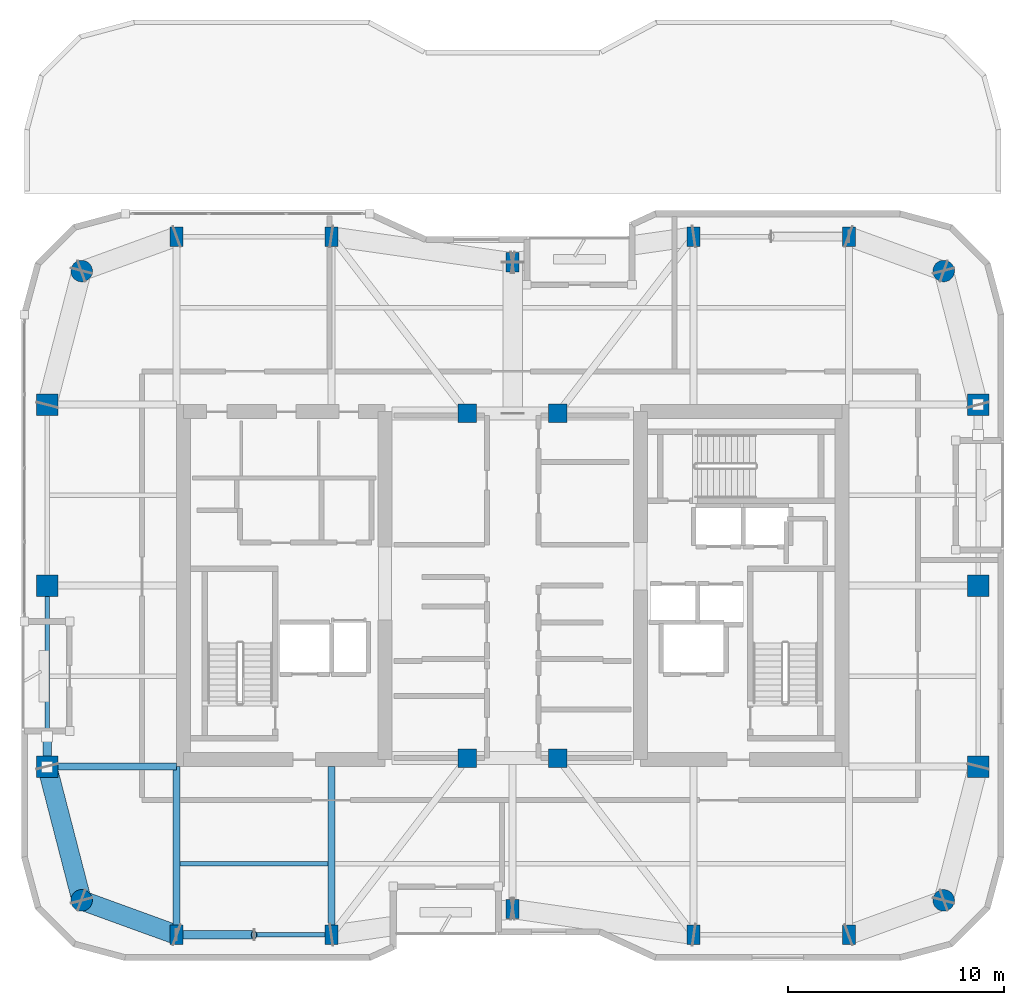
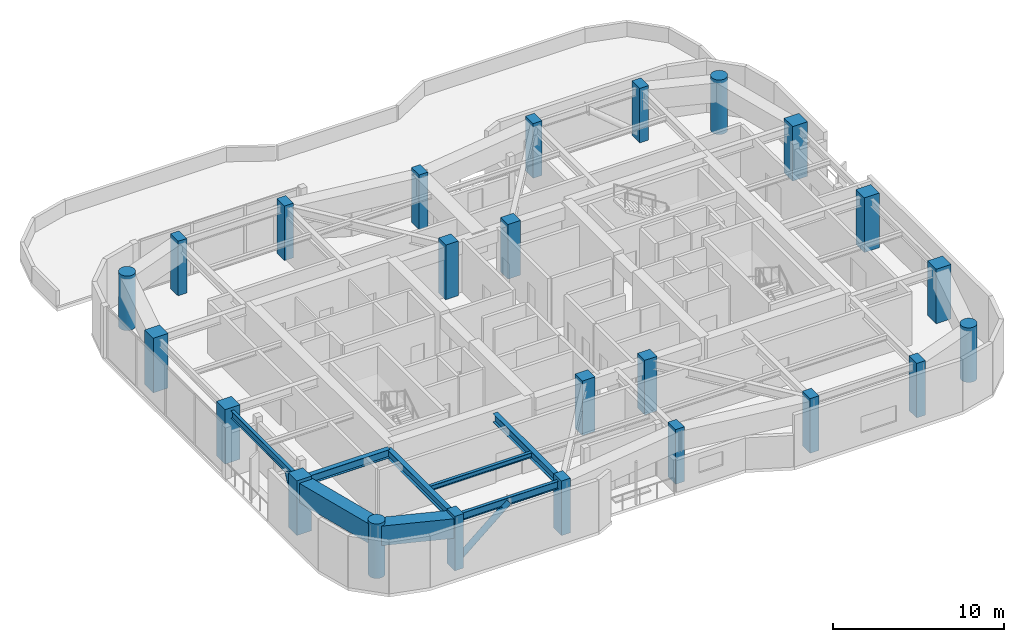
# One storey, part 1 of 16: 24 columns, 8 beams, 2 members.
"""IFC4 building model written with IfcOpenShell, lengths in metres."""

from ifc_helpers import new_model, si_unit, direction, frame, origin, origin_2d, place, context, subcontext, project, spatial, rectangle, hollow_rectangle, circle, hollow_circle, i_section, extrude, material, material_profile, profile_set, type_object, element, save


model = new_model("IFC4")

# Units and contexts
model_context = context("Model", 3, precision=1e-05, world=origin(), true_north=direction((0.0, 1.0)))
body_context = subcontext(model_context, "Body", "Model", "MODEL_VIEW")
ifc_project = project(units=[si_unit("LENGTHUNIT", "METRE"), si_unit("AREAUNIT", "SQUARE_METRE"), si_unit("VOLUMEUNIT", "CUBIC_METRE"), si_unit("PLANEANGLEUNIT", "RADIAN"), si_unit("MASSUNIT", "GRAM", prefix="KILO")], contexts=[model_context])

# Site, building, storey
site_placement = place(None, origin())
site = spatial("IfcSite", under=ifc_project, at=site_placement, CompositionType="ELEMENT")
building_placement = place(site_placement, origin())
building = spatial("IfcBuilding", under=site, at=building_placement, Name="Kiyonajd Concourse Tower", CompositionType="ELEMENT")
storey_placement = place(building_placement, frame((0.0, 0.0, 255.0)))
storey = spatial("IfcBuildingStorey", under=building, at=storey_placement, Name="L64", CompositionType="ELEMENT", Elevation=255.0)

# Columns
ifc_material_1 = material(Name="Concrete C60/75", Category="concrete")
ifc_material_profile_1 = material_profile(ifc_material_1, rectangle(XDim=0.60009765625, YDim=0.89990234375, at=origin_2d()), Name="RC-900x600")
ifc_profile_set_1 = profile_set([ifc_material_profile_1], Name="Concrete C60/75")
column_type_1 = type_object("IfcColumnType", Name="CL-BLADE-900", PredefinedType="COLUMN", material=ifc_profile_set_1)
for number, where, z_axis, x_axis, name in (
    (1, (32.39990234375, 19.800048828125, 0.0), (0.0, 0.0, 1.0), (1.0, 0.0, 0.0), "L64 Perimeter Bundled Tube Column"),
    (2, (32.39990234375, 52.199951171875, 0.0), (0.0, 0.0, 1.0), (1.0, 0.0, 0.0), "L64 Perimeter Bundled Tube Column"),
    (3, (39.60009765625, 19.800048828125, 0.0), (0.0, 0.0, 1.0), (1.0, 0.0, 0.0), "L64 Perimeter Bundled Tube Column"),
    (4, (39.60009765625, 52.199951171875, 0.0), (0.0, 0.0, 1.0), (1.0, 0.0, 0.0), "L64 Perimeter Bundled Tube Column"),
    (5, (48.0, 21.0, 0.0), (0.0, 0.0, 1.0), (1.0, 0.0, 0.0), "L64 Perimeter Bundled Tube Column"),
    (6, (48.0, 51.0, 0.0), (0.0, 0.0, 1.0), (1.0, 0.0, 0.0), "L64 Perimeter Bundled Tube Column"),
    (7, (56.39990234375, 19.800048828125, 0.0), (0.0, 0.0, 1.0), (1.0, 0.0, 0.0), "L64 Perimeter Bundled Tube Column"),
    (8, (56.39990234375, 52.199951171875, 0.0), (0.0, 0.0, 1.0), (1.0, 0.0, 0.0), "L64 Perimeter Bundled Tube Column"),
    (9, (63.60009765625, 19.800048828125, 0.0), (0.0, 0.0, 1.0), (1.0, 0.0, 0.0), "L64 Perimeter Bundled Tube Column"),
    (10, (63.60009765625, 52.199951171875, 0.0), (0.0, 0.0, 1.0), (1.0, 0.0, 0.0), "L64 Perimeter Bundled Tube Column"),
):
    element("IfcColumn", number, at=place(storey_placement, frame(where, z_axis=z_axis, x_axis=x_axis)), inside=storey, type_object=column_type_1, Name=name, PredefinedType="COLUMN", context=body_context, shape_type="SweptSolid", body=[
        extrude(rectangle(XDim=0.60009765625, YDim=0.89990234375, at=origin_2d()), origin(), (0.0, 0.0, 1.0), 3.89990234375),
    ])
ifc_material_profile_2 = material_profile(ifc_material_1, circle(Radius=0.5, at=origin_2d()), Name="RCC-D1000")
ifc_profile_set_2 = profile_set([ifc_material_profile_2], Name="Concrete C60/75")
column_type_2 = type_object("IfcColumnType", Name="CL-RND-1000", PredefinedType="COLUMN", material=ifc_profile_set_2)
for number, where, z_axis, x_axis, name in (
    (11, (28.0, 21.39990234375, 0.0), (0.0, 0.0, 1.0), (1.0, 0.0, 0.0), "L64 Bundled Tube Corner Column South West"),
    (12, (68.0, 21.39990234375, 0.0), (0.0, 0.0, 1.0), (1.0, 0.0, 0.0), "L64 Bundled Tube Corner Column South East"),
    (13, (68.0, 50.60009765625, 0.0), (0.0, 0.0, 1.0), (1.0, 0.0, 0.0), "L64 Bundled Tube Corner Column North East"),
    (14, (28.0, 50.60009765625, 0.0), (0.0, 0.0, 1.0), (1.0, 0.0, 0.0), "L64 Bundled Tube Corner Column North West"),
):
    element("IfcColumn", number, at=place(storey_placement, frame(where, z_axis=z_axis, x_axis=x_axis)), inside=storey, type_object=column_type_2, Name=name, PredefinedType="COLUMN", context=body_context, shape_type="SweptSolid", body=[
        extrude(circle(Radius=0.5, at=origin_2d()), origin(), (0.0, 0.0, 1.0), 3.89990234375),
    ])
ifc_material_profile_3 = material_profile(ifc_material_1, rectangle(XDim=1.0, YDim=1.0, at=origin_2d()), Name="RC-1000x1000")
ifc_profile_set_3 = profile_set([ifc_material_profile_3], Name="Concrete C60/75")
column_type_3 = type_object("IfcColumnType", Name="CL-TUBE-1000", PredefinedType="COLUMN", material=ifc_profile_set_3)
for number, where, z_axis, x_axis, name in (
    (15, (26.39990234375, 27.60009765625, 0.0), (0.0, 0.0, 1.0), (1.0, 0.0, 0.0), "L64 Perimeter Bundled Tube Column"),
    (16, (69.60009765625, 27.60009765625, 0.0), (0.0, 0.0, 1.0), (1.0, 0.0, 0.0), "L64 Perimeter Bundled Tube Column"),
    (17, (26.39990234375, 36.0, 0.0), (0.0, 0.0, 1.0), (1.0, 0.0, 0.0), "L64 Perimeter Bundled Tube Column"),
    (18, (69.60009765625, 36.0, 0.0), (0.0, 0.0, 1.0), (1.0, 0.0, 0.0), "L64 Perimeter Bundled Tube Column"),
    (19, (26.39990234375, 44.39990234375, 0.0), (0.0, 0.0, 1.0), (1.0, 0.0, 0.0), "L64 Perimeter Bundled Tube Column"),
    (20, (69.60009765625, 44.39990234375, 0.0), (0.0, 0.0, 1.0), (1.0, 0.0, 0.0), "L64 Perimeter Bundled Tube Column"),
):
    element("IfcColumn", number, at=place(storey_placement, frame(where, z_axis=z_axis, x_axis=x_axis)), inside=storey, type_object=column_type_3, Name=name, PredefinedType="COLUMN", context=body_context, shape_type="SweptSolid", body=[
        extrude(rectangle(XDim=1.0, YDim=1.0, at=origin_2d()), origin(), (0.0, 0.0, 1.0), 3.89990234375),
    ])
ifc_material_profile_4 = material_profile(ifc_material_1, rectangle(XDim=0.85009765625, YDim=0.85009765625, at=origin_2d()), Name="RC-850x850")
ifc_profile_set_4 = profile_set([ifc_material_profile_4], Name="Concrete C60/75")
column_type_4 = type_object("IfcColumnType", Name="CL-TUBE-850", PredefinedType="COLUMN", material=ifc_profile_set_4)
for number, where, z_axis, x_axis, name in (
    (21, (45.89990234375, 28.0, 0.0), (0.0, 0.0, 1.0), (1.0, 0.0, 0.0), "L64 Core Tie Column South West"),
    (22, (50.10009765625, 28.0, 0.0), (0.0, 0.0, 1.0), (1.0, 0.0, 0.0), "L64 Core Tie Column South East"),
    (23, (45.89990234375, 44.0, 0.0), (0.0, 0.0, 1.0), (1.0, 0.0, 0.0), "L64 Core Tie Column North West"),
    (24, (50.10009765625, 44.0, 0.0), (0.0, 0.0, 1.0), (1.0, 0.0, 0.0), "L64 Core Tie Column North East"),
):
    element("IfcColumn", number, at=place(storey_placement, frame(where, z_axis=z_axis, x_axis=x_axis)), inside=storey, type_object=column_type_4, Name=name, PredefinedType="COLUMN", context=body_context, shape_type="SweptSolid", body=[
        extrude(rectangle(XDim=0.85009765625, YDim=0.85009765625, at=origin_2d()), origin(), (0.0, 0.0, 1.0), 3.89990234375),
    ])

# Beams
ifc_material_2 = material(Name="Steel ASTM A992 Grade 50", Category="steel")
ifc_material_profile_5 = material_profile(ifc_material_2, i_section(OverallWidth=0.205078125, OverallDepth=0.35400390625, WebThickness=0.009521484375, FlangeThickness=0.016845703125, at=origin_2d()), Name="W360X79")
ifc_profile_set_5 = profile_set([ifc_material_profile_5], Name="Steel ASTM A992 Grade 50")
beam_type_1 = type_object("IfcBeamType", Name="BM-JST-360", PredefinedType="JOIST", material=ifc_profile_set_5)
beam_1_placement = place(storey_placement, frame((32.56201171875, 23.10009765625, 3.5029296875), z_axis=(1.0, 0.0, 0.0), x_axis=(0.0, 1.0, 0.0)))
element("IfcBeam", 25, at=beam_1_placement, inside=storey, type_object=beam_type_1, Name="L64 Secondary Floor Joist", PredefinedType="JOIST", context=body_context, shape_type="SweptSolid", body=[
    extrude(i_section(OverallWidth=0.205078125, OverallDepth=0.35400390625, WebThickness=0.009521484375, FlangeThickness=0.016845703125, at=origin_2d()), origin(), (0.0, 0.0, 1.0), 6.8759765625),
])
ifc_material_profile_6 = material_profile(ifc_material_2, i_section(OverallWidth=0.2109375, OverallDepth=0.5390625, WebThickness=0.01171875, FlangeThickness=0.018798828125, at=origin_2d()), Name="W530X109")
ifc_profile_set_6 = profile_set([ifc_material_profile_6], Name="Steel ASTM A992 Grade 50")
beam_type_2 = type_object("IfcBeamType", Name="BM-SPAN-530B", PredefinedType="SPANDREL", material=ifc_profile_set_6)
beam_2_placement = place(storey_placement, frame((32.39990234375, 19.800048828125, 3.410400390625), z_axis=(1.0, 0.0, 0.0), x_axis=(0.0, 1.0, 0.0)))
element("IfcBeam", 26, at=beam_2_placement, inside=storey, type_object=beam_type_2, Name="L64 Perimeter Bundled Tube Spandrel", PredefinedType="SPANDREL", context=body_context, shape_type="SweptSolid", body=[
    extrude(i_section(OverallWidth=0.2109375, OverallDepth=0.5390625, WebThickness=0.01171875, FlangeThickness=0.018798828125, at=origin_2d()), origin(), (0.0, 0.0, 1.0), 7.2001953125),
])
beam_3_placement = place(storey_placement, frame((26.39990234375, 36.0, 3.410400390625), z_axis=(0.0, -1.0, 0.0), x_axis=(1.0, 0.0, 0.0)))
element("IfcBeam", 27, at=beam_3_placement, inside=storey, type_object=beam_type_2, Name="L64 Perimeter Bundled Tube Spandrel", PredefinedType="SPANDREL", context=body_context, shape_type="SweptSolid", body=[
    extrude(i_section(OverallWidth=0.2109375, OverallDepth=0.5390625, WebThickness=0.01171875, FlangeThickness=0.018798828125, at=origin_2d()), origin(), (0.0, 0.0, 1.0), 8.39990234375),
])
ifc_material_profile_7 = material_profile(ifc_material_2, i_section(OverallWidth=0.323974609375, OverallDepth=0.611083984375, WebThickness=0.0126953125, FlangeThickness=0.01904296875, at=origin_2d()), Name="W610X155")
ifc_profile_set_7 = profile_set([ifc_material_profile_7], Name="Steel ASTM A992 Grade 50")
beam_type_3 = type_object("IfcBeamType", Name="BM-TWR-610B", PredefinedType="BEAM", material=ifc_profile_set_7)
for number, where, z_axis, x_axis, name in (
    (28, (32.39990234375, 19.800048828125, 3.37451171875), (0.0, 1.0, 0.0), (-1.0, 0.0, 0.0), "L64 South Lease Girder"),
    (29, (39.60009765625, 19.800048828125, 3.37451171875), (0.0, 1.0, 0.0), (-1.0, 0.0, 0.0), "L64 South Lease Girder"),
):
    element("IfcBeam", number, at=place(storey_placement, frame(where, z_axis=z_axis, x_axis=x_axis)), inside=storey, type_object=beam_type_3, Name=name, PredefinedType="BEAM", context=body_context, shape_type="SweptSolid", body=[
        extrude(i_section(OverallWidth=0.323974609375, OverallDepth=0.611083984375, WebThickness=0.0126953125, FlangeThickness=0.01904296875, at=origin_2d()), origin(), (0.0, 0.0, 1.0), 7.800048828125),
    ])
beam_4_placement = place(storey_placement, frame((26.39990234375, 27.60009765625, 3.37451171875), z_axis=(1.0, 0.0, 0.0), x_axis=(0.0, 1.0, 0.0)))
element("IfcBeam", 30, at=beam_4_placement, inside=storey, type_object=beam_type_3, Name="L64 West Lease Girder", PredefinedType="BEAM", context=body_context, shape_type="SweptSolid", body=[
    extrude(i_section(OverallWidth=0.323974609375, OverallDepth=0.611083984375, WebThickness=0.0126953125, FlangeThickness=0.01904296875, at=origin_2d()), origin(), (0.0, 0.0, 1.0), 6.0),
])
ifc_material_3 = material(Name="Steel ASTM A572 Grade 50", Category="steel")
ifc_material_profile_8 = material_profile(ifc_material_3, hollow_rectangle(XDim=0.89990234375, YDim=1.39990234375, WallThickness=0.070068359375, at=origin_2d()), Name="BOX-1400x900x70")
ifc_profile_set_8 = profile_set([ifc_material_profile_8], Name="Steel ASTM A572 Grade 50")
beam_type_4 = type_object("IfcBeamType", Name="BM-XFER-1400", PredefinedType="BEAM", material=ifc_profile_set_8)
beam_5_placement = place(storey_placement, frame((26.39990234375, 27.60009765625, 2.97998046875), z_axis=(0.249884937687, -0.968275538221, 0.0), x_axis=(0.968275538221, 0.249884937687, 0.0)))
element("IfcBeam", 31, at=beam_5_placement, inside=storey, type_object=beam_type_4, Name="L64 Perimeter Bundled Tube Spandrel", PredefinedType="BEAM", context=body_context, shape_type="SweptSolid", body=[
    extrude(hollow_rectangle(XDim=0.89990234375, YDim=1.39990234375, WallThickness=0.070068359375, at=origin_2d()), origin(), (0.0, 0.0, 1.0), 6.4033203125),
])
beam_6_placement = place(storey_placement, frame((28.0, 21.39990234375, 2.97998046875), z_axis=(0.939801036019, -0.341722127901, 0.0), x_axis=(0.341722127901, 0.939801036019, 0.0)))
element("IfcBeam", 32, at=beam_6_placement, inside=storey, type_object=beam_type_4, Name="L64 Perimeter Bundled Tube Spandrel", PredefinedType="BEAM", context=body_context, shape_type="SweptSolid", body=[
    extrude(hollow_rectangle(XDim=0.89990234375, YDim=1.39990234375, WallThickness=0.070068359375, at=origin_2d()), origin(), (0.0, 0.0, 1.0), 4.681640625),
])

# Members
ifc_material_4 = material(Name="Steel ASTM A500 Grade C", Category="steel")
ifc_material_profile_9 = material_profile(ifc_material_4, hollow_circle(Radius=0.202880859375, WallThickness=0.01904296875, at=origin_2d()), Name="CHS-406x19")
ifc_profile_set_9 = profile_set([ifc_material_profile_9], Name="Steel ASTM A500 Grade C")
member_type = type_object("IfcMemberType", Name="MB-PB-HIGH", PredefinedType="BRACE", material=ifc_profile_set_9)
member_1_placement = place(storey_placement, frame((32.39990234375, 19.800048828125, 0.300048828125), z_axis=(0.765082043761, 0.0, 0.643932811957), x_axis=(0.0, 1.0, 0.0)))
element("IfcMember", 33, at=member_1_placement, inside=storey, type_object=member_type, Name="L64 Upper Zone Hollow Tube Brace PBS", PredefinedType="BRACE", context=body_context, shape_type="SweptSolid", body=[
    extrude(hollow_circle(Radius=0.202880859375, WallThickness=0.01904296875, at=origin_2d()), origin(), (0.0, 0.0, 1.0), 4.70556640625),
])
member_2_placement = place(storey_placement, frame((26.39990234375, 27.60009765625, 0.300048828125), z_axis=(0.0, 0.419410666774, 0.907796614114), x_axis=(-1.0, 0.0, 0.0)))
element("IfcMember", 34, at=member_2_placement, inside=storey, type_object=member_type, Name="L64 Upper Zone Hollow Tube Brace PBW", PredefinedType="BRACE", context=body_context, shape_type="SweptSolid", body=[
    extrude(hollow_circle(Radius=0.202880859375, WallThickness=0.01904296875, at=origin_2d()), origin(), (0.0, 0.0, 1.0), 3.337890625),
])

save(model, "model.ifc")
